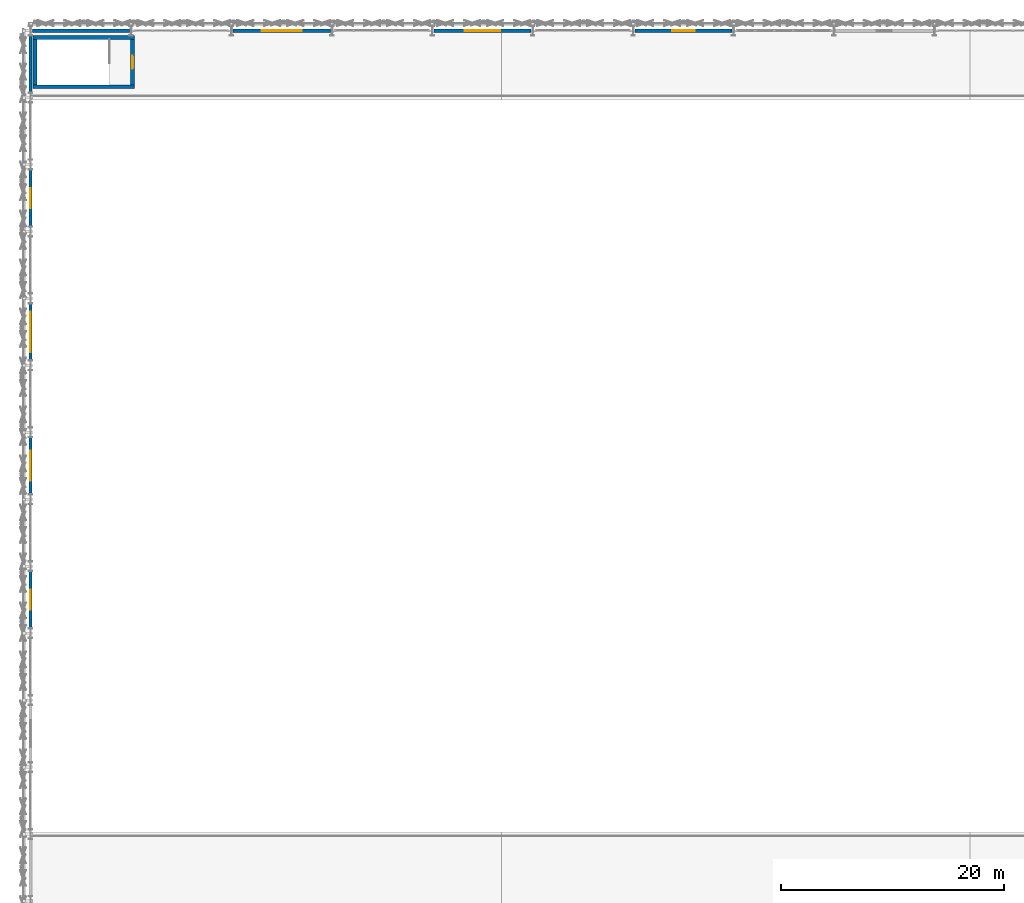
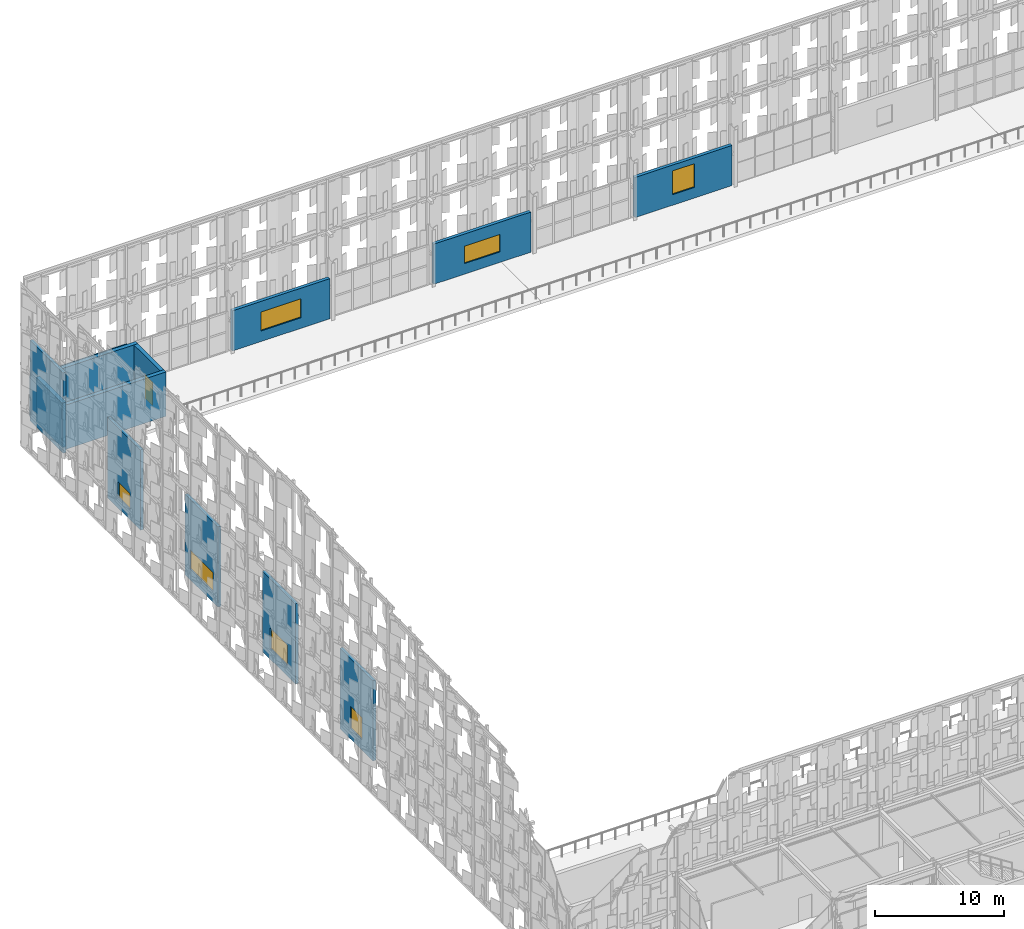
# One storey, part 158 of 210: 13 walls, 7 windows, 1 door, 8 openings.
"""IFC4 building model written with IfcOpenShell, lengths in metres."""

from ifc_helpers import new_model, si_unit, direction, frame, frame_2d, origin, place, context, subcontext, project, spatial, rectangle, extrude, material, layer, layer_set, type_object, element, fill, save


model = new_model("IFC4")

# Units and contexts
model_context = context("Model", 3, precision=1e-05, world=origin(), true_north=direction((0.0, 1.0)))
body_context = subcontext(model_context, "Body", "Model", "MODEL_VIEW")
ifc_project = project(units=[si_unit("LENGTHUNIT", "METRE"), si_unit("AREAUNIT", "SQUARE_METRE"), si_unit("VOLUMEUNIT", "CUBIC_METRE"), si_unit("PLANEANGLEUNIT", "RADIAN"), si_unit("MASSUNIT", "GRAM", prefix="KILO")], contexts=[model_context])

# Site, building, storey
site_placement = place(None, origin())
site = spatial("IfcSite", under=ifc_project, at=site_placement, CompositionType="ELEMENT")
building_placement = place(site_placement, origin())
building = spatial("IfcBuilding", under=site, at=building_placement, Name="Kaldris Quays Convention Centre", CompositionType="ELEMENT")
storey_placement = place(building_placement, frame((0.0, 0.0, 6.0)))
storey = spatial("IfcBuildingStorey", under=building, at=storey_placement, Name="L01", CompositionType="ELEMENT", Elevation=6.0)

# Wall
ifc_material_1 = material(Name="Precast concrete C40/50", Category="concrete")
ifc_layer_1 = layer(ifc_material_1, 0.2880859375)
ifc_layer_set_1 = layer_set([ifc_layer_1], Name="Precast concrete C40/50")
wall_type_1 = type_object("IfcWallType", Name="EXTERIOR WALL EW03", PredefinedType="STANDARD", material=ifc_layer_set_1)
wall_1_placement = place(storey_placement, frame((20.14599609375, 140.0, 0.0), z_axis=(0.0, 0.0, 1.0), x_axis=(1.0, 0.0, 0.0)))
element("IfcWall", 1, at=wall_1_placement, inside=storey, type_object=wall_type_1, Name="L01 Exterior Wall EW03 3", PredefinedType="STANDARD", context=body_context, shape_type="SweptSolid", body=[
    extrude(rectangle(XDim=8.7080078125, YDim=0.2880859375, at=frame_2d((4.35400390625, 0.0))), origin(), (0.0, 0.0, 1.0), 3.800048828125),
])

# Wall, opening, window
wall_2_placement = place(storey_placement, frame((38.14599609375, 140.0, 0.0), z_axis=(0.0, 0.0, 1.0), x_axis=(1.0, 0.0, 0.0)))
wall_2 = element("IfcWall", 2, at=wall_2_placement, inside=storey, type_object=wall_type_1, Name="L01 Exterior Wall EW03 9", PredefinedType="STANDARD", context=body_context, shape_type="SweptSolid", body=[
    extrude(rectangle(XDim=8.7080078125, YDim=0.2880859375, at=frame_2d((4.35400390625, 0.0))), origin(), (0.0, 0.0, 1.0), 3.800048828125),
])
opening_1_placement = place(wall_2_placement, frame((2.553955078125, 0.0, 1.0)))
opening_1 = element("IfcOpeningElement", 3, at=opening_1_placement, cuts=wall_2, Name="Opening WN06", PredefinedType="OPENING", context=body_context, shape_type="SweptSolid", body=[
    extrude(rectangle(XDim=3.60009765625, YDim=1.800048828125, at=frame_2d((1.800048828125, 0.89990234375))), frame((0.0, 0.154052734375, 0.0), z_axis=(0.0, -1.0, 0.0), x_axis=(1.0, 0.0, 0.0)), (0.0, 0.0, 1.0), 0.30810546875),
])
ifc_material_2 = material(Name="Triple low-E insulated glazing", Category="glass")
window_type_1 = type_object("IfcWindowType", Name="TRIPLE GLAZED WINDOW WN06", PartitioningType="SINGLE_PANEL", PredefinedType="WINDOW", material=ifc_material_2)
window_1_placement = place(opening_1_placement, origin())
window_1 = element("IfcWindow", 4, at=window_1_placement, inside=storey, type_object=window_type_1, Name="L01 Exterior Window WN06 1", OverallHeight=1.800048828125, OverallWidth=3.60009765625, PartitioningType="SINGLE_PANEL", PredefinedType="WINDOW", context=body_context, shape_type="SweptSolid", body=[
    extrude(rectangle(XDim=3.60009765625, YDim=1.800048828125, at=frame_2d((1.800048828125, 0.89990234375))), frame((0.0, 0.030029296875, 0.0), z_axis=(0.0, -1.0, 0.0), x_axis=(1.0, 0.0, 0.0)), (0.0, 0.0, 1.0), 0.06005859375),
])
fill(opening_1, window_1)

wall_3_placement = place(storey_placement, frame((56.14599609375, 140.0, 0.0), z_axis=(0.0, 0.0, 1.0), x_axis=(1.0, 0.0, 0.0)))
wall_3 = element("IfcWall", 5, at=wall_3_placement, inside=storey, type_object=wall_type_1, Name="L01 Exterior Wall EW03 15", PredefinedType="STANDARD", context=body_context, shape_type="SweptSolid", body=[
    extrude(rectangle(XDim=8.7080078125, YDim=0.2880859375, at=frame_2d((4.35400390625, 0.0))), origin(), (0.0, 0.0, 1.0), 3.800048828125),
])
opening_2_placement = place(wall_3_placement, frame((2.75390625, 0.0, 1.0)))
opening_2 = element("IfcOpeningElement", 6, at=opening_2_placement, cuts=wall_3, Name="Opening WN10", PredefinedType="OPENING", context=body_context, shape_type="SweptSolid", body=[
    extrude(rectangle(XDim=3.199951171875, YDim=1.64990234375, at=frame_2d((1.60009765625, 0.824951171875))), frame((0.0, 0.154052734375, 0.0), z_axis=(0.0, -1.0, 0.0), x_axis=(1.0, 0.0, 0.0)), (0.0, 0.0, 1.0), 0.30810546875),
])
window_type_2 = type_object("IfcWindowType", Name="TRIPLE GLAZED WINDOW WN10", PartitioningType="SINGLE_PANEL", PredefinedType="WINDOW", material=ifc_material_2)
window_2_placement = place(opening_2_placement, origin())
window_2 = element("IfcWindow", 7, at=window_2_placement, inside=storey, type_object=window_type_2, Name="L01 Exterior Window WN10 5", OverallHeight=1.64990234375, OverallWidth=3.199951171875, PartitioningType="SINGLE_PANEL", PredefinedType="WINDOW", context=body_context, shape_type="SweptSolid", body=[
    extrude(rectangle(XDim=3.199951171875, YDim=1.64990234375, at=frame_2d((1.60009765625, 0.824951171875))), frame((0.0, 0.030029296875, 0.0), z_axis=(0.0, -1.0, 0.0), x_axis=(1.0, 0.0, 0.0)), (0.0, 0.0, 1.0), 0.06005859375),
])
fill(opening_2, window_2)

wall_4_placement = place(storey_placement, frame((74.14599609375, 140.0, 0.0), z_axis=(0.0, 0.0, 1.0), x_axis=(1.0, 0.0, 0.0)))
wall_4 = element("IfcWall", 8, at=wall_4_placement, inside=storey, type_object=wall_type_1, Name="L01 Exterior Wall EW03 21", PredefinedType="STANDARD", context=body_context, shape_type="SweptSolid", body=[
    extrude(rectangle(XDim=8.7080078125, YDim=0.2880859375, at=frame_2d((4.35400390625, 0.0))), origin(), (0.0, 0.0, 1.0), 3.800048828125),
])
opening_3_placement = place(wall_4_placement, frame((3.35400390625, 0.0, 1.0)))
opening_3 = element("IfcOpeningElement", 9, at=opening_3_placement, cuts=wall_4, Name="Opening WN13", PredefinedType="OPENING", context=body_context, shape_type="SweptSolid", body=[
    extrude(rectangle(XDim=2.0, YDim=2.25, at=frame_2d((1.0, 1.125))), frame((0.0, 0.154052734375, 0.0), z_axis=(0.0, -1.0, 0.0), x_axis=(1.0, 0.0, 0.0)), (0.0, 0.0, 1.0), 0.30810546875),
])
window_type_3 = type_object("IfcWindowType", Name="TRIPLE GLAZED WINDOW WN13", PartitioningType="SINGLE_PANEL", PredefinedType="WINDOW", material=ifc_material_2)
window_3_placement = place(opening_3_placement, origin())
window_3 = element("IfcWindow", 10, at=window_3_placement, inside=storey, type_object=window_type_3, Name="L01 Exterior Window WN13 8", OverallHeight=2.25, OverallWidth=2.0, PartitioningType="SINGLE_PANEL", PredefinedType="WINDOW", context=body_context, shape_type="SweptSolid", body=[
    extrude(rectangle(XDim=2.0, YDim=2.25, at=frame_2d((1.0, 1.125))), frame((0.0, 0.030029296875, 0.0), z_axis=(0.0, -1.0, 0.0), x_axis=(1.0, 0.0, 0.0)), (0.0, 0.0, 1.0), 0.06005859375),
])
fill(opening_3, window_3)

ifc_layer_2 = layer(ifc_material_1, 0.263916015625)
ifc_layer_set_2 = layer_set([ifc_layer_2], Name="Precast concrete C40/50")
wall_type_2 = type_object("IfcWallType", Name="EXTERIOR WALL EW04", PredefinedType="STANDARD", material=ifc_layer_set_2)
wall_5_placement = place(storey_placement, frame((20.0, 86.446044921875, 0.0), z_axis=(0.0, 0.0, 1.0), x_axis=(0.0, 1.0, 0.0)))
wall_5 = element("IfcWall", 11, at=wall_5_placement, inside=storey, type_object=wall_type_2, Name="L01 Exterior Wall EW04 61", PredefinedType="STANDARD", context=body_context, shape_type="SweptSolid", body=[
    extrude(rectangle(XDim=5.10791015625, YDim=0.263916015625, at=frame_2d((2.553955078125, 0.0))), origin(), (0.0, 0.0, 1.0), 7.60009765625),
])
opening_4_placement = place(wall_5_placement, frame((1.654052734375, 0.0, 1.0)))
opening_4 = element("IfcOpeningElement", 12, at=opening_4_placement, cuts=wall_5, Name="Opening WN03", PredefinedType="OPENING", context=body_context, shape_type="SweptSolid", body=[
    extrude(rectangle(XDim=1.800048828125, YDim=2.10009765625, at=frame_2d((0.89990234375, 1.050048828125))), frame((0.0, 0.14208984375, 0.0), z_axis=(0.0, -1.0, 0.0), x_axis=(1.0, 0.0, 0.0)), (0.0, 0.0, 1.0), 0.283935546875),
])
window_type_4 = type_object("IfcWindowType", Name="TRIPLE GLAZED WINDOW WN03", PartitioningType="SINGLE_PANEL", PredefinedType="WINDOW", material=ifc_material_2)
window_4_placement = place(opening_4_placement, origin())
window_4 = element("IfcWindow", 13, at=window_4_placement, inside=storey, type_object=window_type_4, Name="L01 Exterior Window WN03 19", OverallHeight=2.10009765625, OverallWidth=1.800048828125, PartitioningType="SINGLE_PANEL", PredefinedType="WINDOW", context=body_context, shape_type="SweptSolid", body=[
    extrude(rectangle(XDim=1.800048828125, YDim=2.10009765625, at=frame_2d((0.89990234375, 1.050048828125))), frame((0.0, 0.030029296875, 0.0), z_axis=(0.0, -1.0, 0.0), x_axis=(1.0, 0.0, 0.0)), (0.0, 0.0, 1.0), 0.06005859375),
])
fill(opening_4, window_4)

wall_6_placement = place(storey_placement, frame((20.0, 98.446044921875, 0.0), z_axis=(0.0, 0.0, 1.0), x_axis=(0.0, 1.0, 0.0)))
wall_6 = element("IfcWall", 14, at=wall_6_placement, inside=storey, type_object=wall_type_2, Name="L01 Exterior Wall EW04 68", PredefinedType="STANDARD", context=body_context, shape_type="SweptSolid", body=[
    extrude(rectangle(XDim=5.10791015625, YDim=0.263916015625, at=frame_2d((2.553955078125, 0.0))), origin(), (0.0, 0.0, 1.0), 7.60009765625),
])
opening_5_placement = place(wall_6_placement, frame((1.2041015625, 0.0, 1.0)))
opening_5 = element("IfcOpeningElement", 15, at=opening_5_placement, cuts=wall_6, Name="Opening WN05", PredefinedType="OPENING", context=body_context, shape_type="SweptSolid", body=[
    extrude(rectangle(XDim=2.699951171875, YDim=1.949951171875, at=frame_2d((1.35009765625, 0.97509765625))), frame((0.0, 0.14208984375, 0.0), z_axis=(0.0, -1.0, 0.0), x_axis=(1.0, 0.0, 0.0)), (0.0, 0.0, 1.0), 0.283935546875),
])
window_type_5 = type_object("IfcWindowType", Name="TRIPLE GLAZED WINDOW WN05", PartitioningType="SINGLE_PANEL", PredefinedType="WINDOW", material=ifc_material_2)
window_5_placement = place(opening_5_placement, origin())
window_5 = element("IfcWindow", 16, at=window_5_placement, inside=storey, type_object=window_type_5, Name="L01 Exterior Window WN05 21", OverallHeight=1.949951171875, OverallWidth=2.699951171875, PartitioningType="SINGLE_PANEL", PredefinedType="WINDOW", context=body_context, shape_type="SweptSolid", body=[
    extrude(rectangle(XDim=2.699951171875, YDim=1.949951171875, at=frame_2d((1.35009765625, 0.97509765625))), frame((0.0, 0.030029296875, 0.0), z_axis=(0.0, -1.0, 0.0), x_axis=(1.0, 0.0, 0.0)), (0.0, 0.0, 1.0), 0.06005859375),
])
fill(opening_5, window_5)

wall_7_placement = place(storey_placement, frame((20.0, 110.446044921875, 0.0), z_axis=(0.0, 0.0, 1.0), x_axis=(0.0, 1.0, 0.0)))
wall_7 = element("IfcWall", 17, at=wall_7_placement, inside=storey, type_object=wall_type_2, Name="L01 Exterior Wall EW04 75", PredefinedType="STANDARD", context=body_context, shape_type="SweptSolid", body=[
    extrude(rectangle(XDim=5.10791015625, YDim=0.263916015625, at=frame_2d((2.553955078125, 0.0))), origin(), (0.0, 0.0, 1.0), 7.60009765625),
])
opening_6_placement = place(wall_7_placement, frame((0.75390625, 0.0, 1.0)))
opening_6 = element("IfcOpeningElement", 18, at=opening_6_placement, cuts=wall_7, Name="Opening WN06", PredefinedType="OPENING", context=body_context, shape_type="SweptSolid", body=[
    extrude(rectangle(XDim=3.60009765625, YDim=1.800048828125, at=frame_2d((1.800048828125, 0.89990234375))), frame((0.0, 0.14208984375, 0.0), z_axis=(0.0, -1.0, 0.0), x_axis=(1.0, 0.0, 0.0)), (0.0, 0.0, 1.0), 0.283935546875),
])
window_6_placement = place(opening_6_placement, origin())
window_6 = element("IfcWindow", 19, at=window_6_placement, inside=storey, type_object=window_type_1, Name="L01 Exterior Window WN06 22", OverallHeight=1.800048828125, OverallWidth=3.60009765625, PartitioningType="SINGLE_PANEL", PredefinedType="WINDOW", context=body_context, shape_type="SweptSolid", body=[
    extrude(rectangle(XDim=3.60009765625, YDim=1.800048828125, at=frame_2d((1.800048828125, 0.89990234375))), frame((0.0, 0.030029296875, 0.0), z_axis=(0.0, -1.0, 0.0), x_axis=(1.0, 0.0, 0.0)), (0.0, 0.0, 1.0), 0.06005859375),
])
fill(opening_6, window_6)

wall_8_placement = place(storey_placement, frame((20.0, 122.446044921875, 0.0), z_axis=(0.0, 0.0, 1.0), x_axis=(0.0, 1.0, 0.0)))
wall_8 = element("IfcWall", 20, at=wall_8_placement, inside=storey, type_object=wall_type_2, Name="L01 Exterior Wall EW04 82", PredefinedType="STANDARD", context=body_context, shape_type="SweptSolid", body=[
    extrude(rectangle(XDim=5.10791015625, YDim=0.263916015625, at=frame_2d((2.553955078125, 0.0))), origin(), (0.0, 0.0, 1.0), 7.60009765625),
])
opening_7_placement = place(wall_8_placement, frame((1.654052734375, 0.0, 1.0)))
opening_7 = element("IfcOpeningElement", 21, at=opening_7_placement, cuts=wall_8, Name="Opening WN11", PredefinedType="OPENING", context=body_context, shape_type="SweptSolid", body=[
    extrude(rectangle(XDim=1.800048828125, YDim=1.5, at=frame_2d((0.89990234375, 0.75))), frame((0.0, 0.14208984375, 0.0), z_axis=(0.0, -1.0, 0.0), x_axis=(1.0, 0.0, 0.0)), (0.0, 0.0, 1.0), 0.283935546875),
])
window_type_6 = type_object("IfcWindowType", Name="TRIPLE GLAZED WINDOW WN11", PartitioningType="SINGLE_PANEL", PredefinedType="WINDOW", material=ifc_material_2)
window_7_placement = place(opening_7_placement, origin())
window_7 = element("IfcWindow", 22, at=window_7_placement, inside=storey, type_object=window_type_6, Name="L01 Exterior Window WN11 26", OverallHeight=1.5, OverallWidth=1.800048828125, PartitioningType="SINGLE_PANEL", PredefinedType="WINDOW", context=body_context, shape_type="SweptSolid", body=[
    extrude(rectangle(XDim=1.800048828125, YDim=1.5, at=frame_2d((0.89990234375, 0.75))), frame((0.0, 0.030029296875, 0.0), z_axis=(0.0, -1.0, 0.0), x_axis=(1.0, 0.0, 0.0)), (0.0, 0.0, 1.0), 0.06005859375),
])
fill(opening_7, window_7)

# Walls
wall_9_placement = place(storey_placement, frame((20.0, 134.446044921875, 0.0), z_axis=(0.0, 0.0, 1.0), x_axis=(0.0, 1.0, 0.0)))
element("IfcWall", 23, at=wall_9_placement, inside=storey, type_object=wall_type_2, Name="L01 Exterior Wall EW04 89", PredefinedType="STANDARD", context=body_context, shape_type="SweptSolid", body=[
    extrude(rectangle(XDim=5.10791015625, YDim=0.263916015625, at=frame_2d((2.553955078125, 0.0))), origin(), (0.0, 0.0, 1.0), 7.60009765625),
])
ifc_material_3 = material(Name="Concrete C40/50", Category="concrete")
ifc_layer_3 = layer(ifc_material_3, 0.35009765625)
ifc_layer_set_3 = layer_set([ifc_layer_3], Name="Concrete C40/50")
wall_type_3 = type_object("IfcWallType", Name="STRUCTURAL WALL SW01", PredefinedType="SHEAR", material=ifc_layer_set_3)
for number, where, z_axis, x_axis, name in (
    (24, (20.199951171875, 134.97509765625, 0.0), (0.0, 0.0, 1.0), (1.0, 0.0, 0.0), "L01 Core Shear Wall CORE-ST03-L01-S"),
    (25, (20.199951171875, 139.375, 0.0), (0.0, 0.0, 1.0), (1.0, 0.0, 0.0), "L01 Core Shear Wall CORE-ST03-L01-N"),
):
    element("IfcWall", number, at=place(storey_placement, frame(where, z_axis=z_axis, x_axis=x_axis)), inside=storey, type_object=wall_type_3, Name=name, PredefinedType="SHEAR", context=body_context, shape_type="SweptSolid", body=[
        extrude(rectangle(XDim=9.10009765625, YDim=0.35009765625, at=frame_2d((4.550048828125, 0.0))), origin(), (0.0, 0.0, 1.0), 4.199951171875),
    ])
wall_10_placement = place(storey_placement, frame((20.375, 135.14990234375, 0.0), z_axis=(0.0, 0.0, 1.0), x_axis=(0.0, 1.0, 0.0)))
element("IfcWall", 26, at=wall_10_placement, inside=storey, type_object=wall_type_3, Name="L01 Core Shear Wall CORE-ST03-L01-W", PredefinedType="SHEAR", context=body_context, shape_type="SweptSolid", body=[
    extrude(rectangle(XDim=4.050048828125, YDim=0.35009765625, at=frame_2d((2.02490234375, 0.0))), origin(), (0.0, 0.0, 1.0), 4.199951171875),
])

# Wall, opening, door
wall_11_placement = place(storey_placement, frame((29.125, 135.14990234375, 0.0), z_axis=(0.0, 0.0, 1.0), x_axis=(0.0, 1.0, 0.0)))
wall_11 = element("IfcWall", 27, at=wall_11_placement, inside=storey, type_object=wall_type_3, Name="L01 Core Shear Wall CORE-ST03-L01-E", PredefinedType="SHEAR", context=body_context, shape_type="SweptSolid", body=[
    extrude(rectangle(XDim=4.050048828125, YDim=0.35009765625, at=frame_2d((2.02490234375, 0.0))), origin(), (0.0, 0.0, 1.0), 4.199951171875),
])
opening_8_placement = place(wall_11_placement, frame((1.425048828125, 0.0, 0.0)))
opening_8 = element("IfcOpeningElement", 28, at=opening_8_placement, cuts=wall_11, Name="Opening ID03", PredefinedType="OPENING", context=body_context, shape_type="SweptSolid", body=[
    extrude(rectangle(XDim=1.199951171875, YDim=2.199951171875, at=frame_2d((0.60009765625, 1.10009765625))), frame((0.0, 0.18505859375, 0.0), z_axis=(0.0, -1.0, 0.0), x_axis=(1.0, 0.0, 0.0)), (0.0, 0.0, 1.0), 0.3701171875),
])
ifc_material_4 = material(Name="Steel S355J2 fire-resisting door", Category="steel")
door_type = type_object("IfcDoorType", Name="INTERIOR DOOR ID03", OperationType="NOTDEFINED", PredefinedType="DOOR", material=ifc_material_4)
door_placement = place(opening_8_placement, origin())
door = element("IfcDoor", 29, at=door_placement, inside=storey, type_object=door_type, Name="L01 Escape Stair ST03 Fire Door", OperationType="SINGLE_SWING_RIGHT", OverallHeight=2.199951171875, OverallWidth=1.199951171875, PredefinedType="DOOR", context=body_context, shape_type="SweptSolid", body=[
    extrude(rectangle(XDim=1.199951171875, YDim=2.199951171875, at=frame_2d((0.60009765625, 1.10009765625))), frame((0.0, 0.02490234375, 0.0), z_axis=(0.0, -1.0, 0.0), x_axis=(1.0, 0.0, 0.0)), (0.0, 0.0, 1.0), 0.050048828125),
])
fill(opening_8, door)

save(model, "model.ifc")
